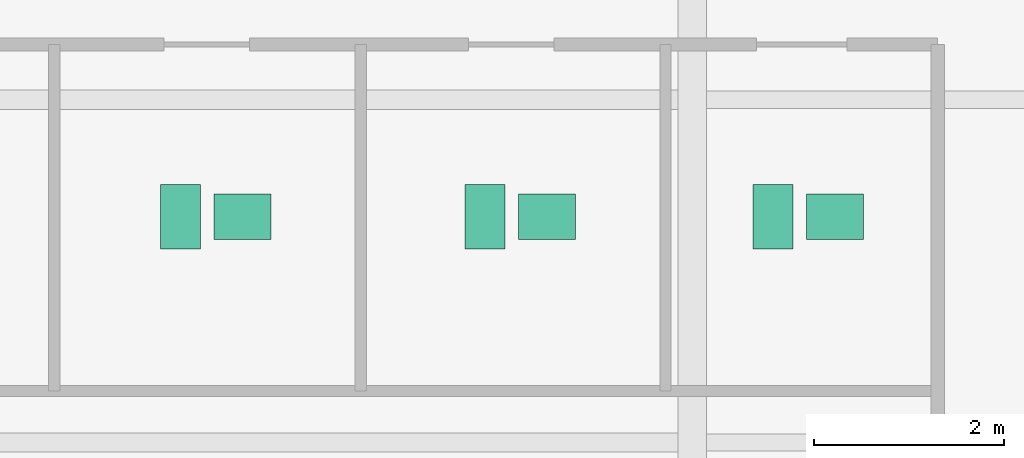
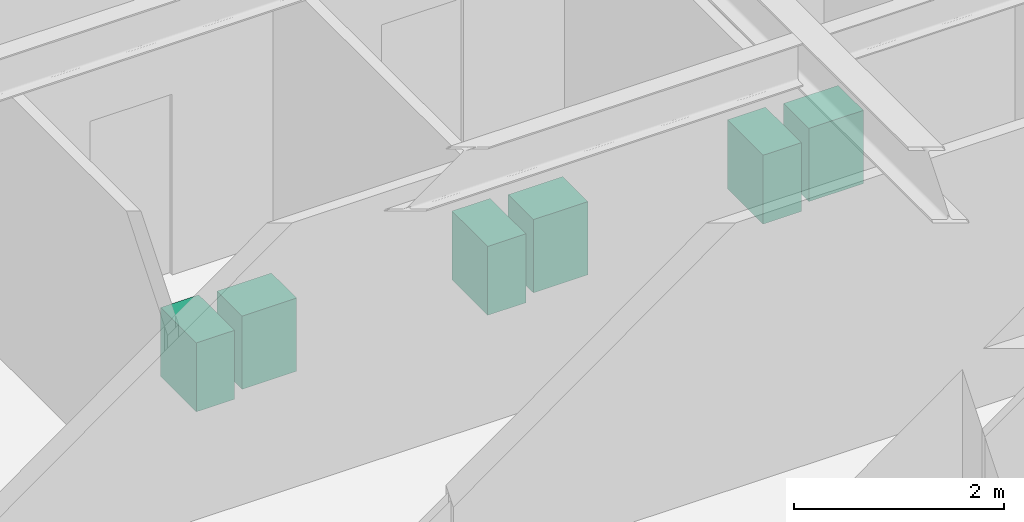
# One storey, part 26 of 26: 6 sanitary terminals.
"""IFC4 building model written with IfcOpenShell, lengths in metres."""

import ifcopenshell
import ifcopenshell.guid

model = None  # the IFC model being written
_history = None  # IfcOwnerHistory: only IFC2X3 demands one
_inside = {}  # id of a spatial element -> (the spatial element, [elements in it])
_under = {}  # id of a project, library or spatial element -> (it, [spatial elements below it])
_declared = {}  # id of a project -> (the project, [libraries it declares])
_typed = {}  # id of a type object -> (the type object, [elements of that type])
_made_of = {}  # id of a material, layer set ... -> (it, [elements and type objects made of it])


def new_model(schema):
    """Start an empty IFC model of exactly this schema.

    Asked for "IFC4X3", IfcOpenShell would pick the latest addendum, in which some entities
    have other attributes; the version numbers below select the first issue.
    IFC2X3 requires an IfcOwnerHistory on every rooted entity: one is made here for all.
    """
    global model, _history
    if schema == "IFC4X3":
        model = ifcopenshell.file(schema_version=(4, 3, 0, 0))
    else:
        model = ifcopenshell.file(schema=schema)
    _inside.clear()
    _under.clear()
    _declared.clear()
    _typed.clear()
    _made_of.clear()
    _history = None
    if model.schema == "IFC2X3":
        org = make("IfcOrganization", Name="unknown")
        user = make(
            "IfcPersonAndOrganization",
            ThePerson=make("IfcPerson", FamilyName="unknown"),
            TheOrganization=org,
        )
        app = make(
            "IfcApplication",
            ApplicationDeveloper=org,
            Version="unknown",
            ApplicationFullName="unknown",
            ApplicationIdentifier="unknown",
        )
        _history = make(
            "IfcOwnerHistory",
            OwningUser=user,
            OwningApplication=app,
            ChangeAction="ADDED",
            CreationDate=0,
        )
    return model


def make(cls, **values):
    """One entity of the class cls with the attributes given. An attribute that is None is left unset."""
    return model.create_entity(
        cls, **{name: value for name, value in values.items() if value is not None}
    )


def rooted(cls, **values):
    """An entity with a GlobalId (a new one), such as an element, a storey or a relation."""
    return make(cls, GlobalId=ifcopenshell.guid.new(), OwnerHistory=_history, **values)


def si_unit(unit_type, name, prefix=None):
    """IfcSIUnit, for example si_unit("LENGTHUNIT", "METRE", prefix="MILLI")."""
    return make("IfcSIUnit", UnitType=unit_type, Prefix=prefix, Name=name)


def assignment(units):
    """IfcUnitAssignment: the units of a project."""
    return None if units is None else make("IfcUnitAssignment", Units=units)


def point(xyz):
    """IfcCartesianPoint."""
    return None if xyz is None else make("IfcCartesianPoint", Coordinates=xyz)


def direction(xyz):
    """IfcDirection."""
    return None if xyz is None else make("IfcDirection", DirectionRatios=xyz)


def frame(location, z_axis=None, x_axis=None):
    """IfcAxis2Placement3D, a coordinate frame: its origin and axes. An axis left out is left unset."""
    return make(
        "IfcAxis2Placement3D",
        Location=point(location),
        Axis=direction(z_axis),
        RefDirection=direction(x_axis),
    )


def frame_2d(location, x_axis=None):
    """IfcAxis2Placement2D, a coordinate frame in the plane: its origin and x axis."""
    return make(
        "IfcAxis2Placement2D", Location=point(location), RefDirection=direction(x_axis)
    )


def origin():
    """The frame at (0, 0, 0) with its axes left unset."""
    return frame((0.0, 0.0, 0.0))


def origin_2d():
    """The frame at (0, 0) in the plane with its x axis left unset."""
    return frame_2d((0.0, 0.0))


def place(relative_to, where):
    """IfcLocalPlacement: puts the frame where relative to a parent placement (None: the world)."""
    return make(
        "IfcLocalPlacement", PlacementRelTo=relative_to, RelativePlacement=where
    )


def context(
    kind, dimensions, precision=None, world=None, true_north=None, identifier=None
):
    """IfcGeometricRepresentationContext, for example the 3D "Model" context."""
    return make(
        "IfcGeometricRepresentationContext",
        ContextIdentifier=identifier,
        ContextType=kind,
        CoordinateSpaceDimension=dimensions,
        Precision=precision,
        WorldCoordinateSystem=world,
        TrueNorth=true_north,
    )


def subcontext(parent, identifier, kind, view, scale=None):
    """IfcGeometricRepresentationSubContext, for example "Body" below "Model"."""
    return make(
        "IfcGeometricRepresentationSubContext",
        ContextIdentifier=identifier,
        ContextType=kind,
        ParentContext=parent,
        TargetScale=scale,
        TargetView=view,
    )


def project(units=None, contexts=None):
    """IfcProject with its units and contexts."""
    return rooted(
        "IfcProject",
        Name="project",
        RepresentationContexts=contexts,
        UnitsInContext=assignment(units),
    )


def spatial(cls, under=None, at=None, **own):
    """A site, building, storey or space (cls), placed at a placement, below another one or the project."""
    s = rooted(cls, ObjectPlacement=at, **own)
    if under is not None:
        _under.setdefault(under.id(), (under, []))[1].append(s)
    return s


def profile(cls, at=None, kind="AREA", **sizes):
    """A parametric profile (cls). Its sizes go by their IFC names, for example OverallWidth=200.0."""
    return make(cls, ProfileType=kind, Position=at, **sizes)


def rectangle(**sizes):
    """IfcRectangleProfileDef."""
    return profile("IfcRectangleProfileDef", **sizes)


def extrude(swept, where, along, depth):
    """IfcExtrudedAreaSolid: the profile swept, set in the frame where, extruded along a direction by depth."""
    return make(
        "IfcExtrudedAreaSolid",
        SweptArea=swept,
        Position=where,
        ExtrudedDirection=direction(along),
        Depth=depth,
    )


def shape(context_of_items, identifier, shape_type, items):
    """IfcShapeRepresentation: the items that make up one representation, for example the "Body"."""
    return make(
        "IfcShapeRepresentation",
        ContextOfItems=context_of_items,
        RepresentationIdentifier=identifier,
        RepresentationType=shape_type,
        Items=items,
    )


def source(mapping_origin, context_of_items, identifier, shape_type, items):
    """IfcRepresentationMap: a shape defined once, which mapped items show again and again."""
    return make(
        "IfcRepresentationMap",
        MappingOrigin=mapping_origin,
        MappedRepresentation=shape(context_of_items, identifier, shape_type, items),
    )


def transform(
    local_origin,
    x_axis=None,
    y_axis=None,
    z_axis=None,
    scale=None,
    scale2=None,
    scale3=None,
    uniform=True,
):
    """IfcCartesianTransformationOperator3D, or its non-uniform kind. x_axis, y_axis, z_axis: its Axis1, 2, 3."""
    if uniform:
        return make(
            "IfcCartesianTransformationOperator3D",
            Axis1=direction(x_axis),
            Axis2=direction(y_axis),
            LocalOrigin=point(local_origin),
            Scale=scale,
            Axis3=direction(z_axis),
        )
    return make(
        "IfcCartesianTransformationOperator3DnonUniform",
        Axis1=direction(x_axis),
        Axis2=direction(y_axis),
        LocalOrigin=point(local_origin),
        Scale=scale,
        Axis3=direction(z_axis),
        Scale2=scale2,
        Scale3=scale3,
    )


def mapped(mapping_source, mapping_target):
    """IfcMappedItem: shows the shape of a source again, moved by a transform."""
    return make(
        "IfcMappedItem", MappingSource=mapping_source, MappingTarget=mapping_target
    )


def material(Name=None, Category=None):
    """IfcMaterial."""
    return make("IfcMaterial", Name=Name, Category=Category)


def made_of(thing, what):
    """Note that an element or type object is made of a material, layer set ...; save() writes the relation."""
    if what is not None:
        _made_of.setdefault(what.id(), (what, []))[1].append(thing)
    return thing


def type_object(cls, material=None, **own):
    """A type object (cls), such as IfcWallType, which elements share."""
    return made_of(rooted(cls, **own), material)


def type_shapes(of_type, sources):
    """Give a type object the sources (RepresentationMaps) that its elements show as mapped items."""
    of_type.RepresentationMaps = sources


def element(
    cls,
    number,
    at=None,
    inside=None,
    cuts=None,
    type_object=None,
    material=None,
    context=None,
    identifier="Body",
    shape_type=None,
    held_by="IfcProductDefinitionShape",
    body=None,
    shapes=None,
    **own,
):
    """One element of the class cls, such as IfcWall. Its Tag is "e" and its number.

    at: its placement. inside: the storey or other place that contains it. cuts: it is an
    opening in that element (IfcRelVoidsElement). A single representation is given by context,
    identifier, shape_type and body (its items); several are given by shapes. held_by: the class
    of the entity that holds the representations. save() writes the other relations.
    """
    e = rooted(cls, Tag="e%d" % number, ObjectPlacement=at, **own)
    if body is not None:
        shapes = [shape(context, identifier, shape_type, body)]
    if shapes is not None:
        e.Representation = make(held_by, Representations=shapes)
    if inside is not None:
        _inside.setdefault(inside.id(), (inside, []))[1].append(e)
    if cuts is not None:
        rooted(
            "IfcRelVoidsElement", RelatingBuildingElement=cuts, RelatedOpeningElement=e
        )
    if type_object is not None:
        _typed.setdefault(type_object.id(), (type_object, []))[1].append(e)
    return made_of(e, material)


def aggregate(whole, parts):
    """IfcRelAggregates: a whole, such as a stair, and the parts it consists of."""
    return rooted("IfcRelAggregates", RelatingObject=whole, RelatedObjects=parts)


def save(model, path):
    """Write the relations noted so far, then the file.

    IfcRelAggregates (storeys below a building ...), IfcRelContainedInSpatialStructure (elements
    in a storey), IfcRelDefinesByType, IfcRelAssociatesMaterial and IfcRelDeclares: one each for
    every whole, place, type object, material and project.
    """
    for whole, parts in _under.values():
        aggregate(whole, parts)
    for where, things in _inside.values():
        rooted(
            "IfcRelContainedInSpatialStructure",
            RelatedElements=things,
            RelatingStructure=where,
        )
    for kind, things in _typed.values():
        rooted("IfcRelDefinesByType", RelatedObjects=things, RelatingType=kind)
    for what, things in _made_of.values():
        rooted("IfcRelAssociatesMaterial", RelatedObjects=things, RelatingMaterial=what)
    for by, libraries in _declared.values():
        rooted("IfcRelDeclares", RelatingContext=by, RelatedDefinitions=libraries)
    model.write(path)


model = new_model("IFC4")

# Units and contexts
model_context = context("Model", 3, precision=1e-05, world=origin(), true_north=direction((0.0, 1.0)))
body_context = subcontext(model_context, "Body", "Model", "MODEL_VIEW")
ifc_project = project(units=[si_unit("LENGTHUNIT", "METRE"), si_unit("AREAUNIT", "SQUARE_METRE"), si_unit("VOLUMEUNIT", "CUBIC_METRE"), si_unit("PLANEANGLEUNIT", "RADIAN"), si_unit("MASSUNIT", "GRAM", prefix="KILO")], contexts=[model_context])

# Site, building, storey
site_placement = place(None, origin())
site = spatial("IfcSite", under=ifc_project, at=site_placement, CompositionType="ELEMENT")
building_placement = place(site_placement, origin())
building = spatial("IfcBuilding", under=site, at=building_placement, Name="Krantzveldt Concourse Tower", CompositionType="ELEMENT")
storey_placement = place(building_placement, frame((0.0, 0.0, 109.800048828125)))
storey = spatial("IfcBuildingStorey", under=building, at=storey_placement, Name="L26", CompositionType="ELEMENT", Elevation=109.800048828125)

# Sanitary terminals
ifc_material = material(Name="Vitreous china", Category="ceramic")
sanitary_terminal_type_1 = type_object("IfcSanitaryTerminalType", Name="SAN-WC-SUITE", PredefinedType="TOILETPAN", material=ifc_material)
shared_shape_1 = source(origin(), body_context, "Body", "SweptSolid", [
    extrude(rectangle(XDim=0.419921875, YDim=0.679931640625, at=origin_2d()), origin(), (0.0, 0.0, 1.0), 0.800048828125),
])
type_shapes(sanitary_terminal_type_1, [shared_shape_1])
for number, where, z_axis, x_axis, name in (
    (1, (36.02490234375, 32.570068359375, 0.0), (0.0, 0.0, 1.0), (1.0, 0.0, 0.0), "WC-SP-L26-WCM"),
    (2, (39.22509765625, 32.570068359375, 0.0), (0.0, 0.0, 1.0), (1.0, 0.0, 0.0), "WC-SP-L26-WCF"),
    (3, (42.25, 32.570068359375, 0.0), (0.0, 0.0, 1.0), (1.0, 0.0, 0.0), "WC-SP-L26-WCA"),
):
    element("IfcSanitaryTerminal", number, at=place(storey_placement, frame(where, z_axis=z_axis, x_axis=x_axis)), inside=storey, type_object=sanitary_terminal_type_1, Name=name, PredefinedType="TOILETPAN", context=body_context, shape_type="MappedRepresentation", body=[
        mapped(shared_shape_1, transform((0.0, 0.0, 0.0), x_axis=(1.0, 0.0, 0.0), y_axis=(0.0, 1.0, 0.0), z_axis=(0.0, 0.0, 1.0), scale=1.0)),
    ])
sanitary_terminal_type_2 = type_object("IfcSanitaryTerminalType", Name="SAN-BASIN-600", PredefinedType="WASHHANDBASIN", material=ifc_material)
shared_shape_2 = source(origin(), body_context, "Body", "SweptSolid", [
    extrude(rectangle(XDim=0.60009765625, YDim=0.47998046875, at=origin_2d()), origin(), (0.0, 0.0, 1.0), 0.85009765625),
])
type_shapes(sanitary_terminal_type_2, [shared_shape_2])
for number, where, z_axis, x_axis, name in (
    (4, (36.675048828125, 32.570068359375, 0.0048828125), (0.0, 0.0, 1.0), (1.0, 0.0, 0.0), "BSN-SP-L26-WCM"),
    (5, (39.875, 32.570068359375, 0.0048828125), (0.0, 0.0, 1.0), (1.0, 0.0, 0.0), "BSN-SP-L26-WCF"),
    (6, (42.89990234375, 32.570068359375, 0.0048828125), (0.0, 0.0, 1.0), (1.0, 0.0, 0.0), "BSN-SP-L26-WCA"),
):
    element("IfcSanitaryTerminal", number, at=place(storey_placement, frame(where, z_axis=z_axis, x_axis=x_axis)), inside=storey, type_object=sanitary_terminal_type_2, Name=name, PredefinedType="WASHHANDBASIN", context=body_context, shape_type="MappedRepresentation", body=[
        mapped(shared_shape_2, transform((0.0, 0.0, 0.0), x_axis=(1.0, 0.0, 0.0), y_axis=(0.0, 1.0, 0.0), z_axis=(0.0, 0.0, 1.0), scale=1.0)),
    ])

save(model, "model.ifc")
